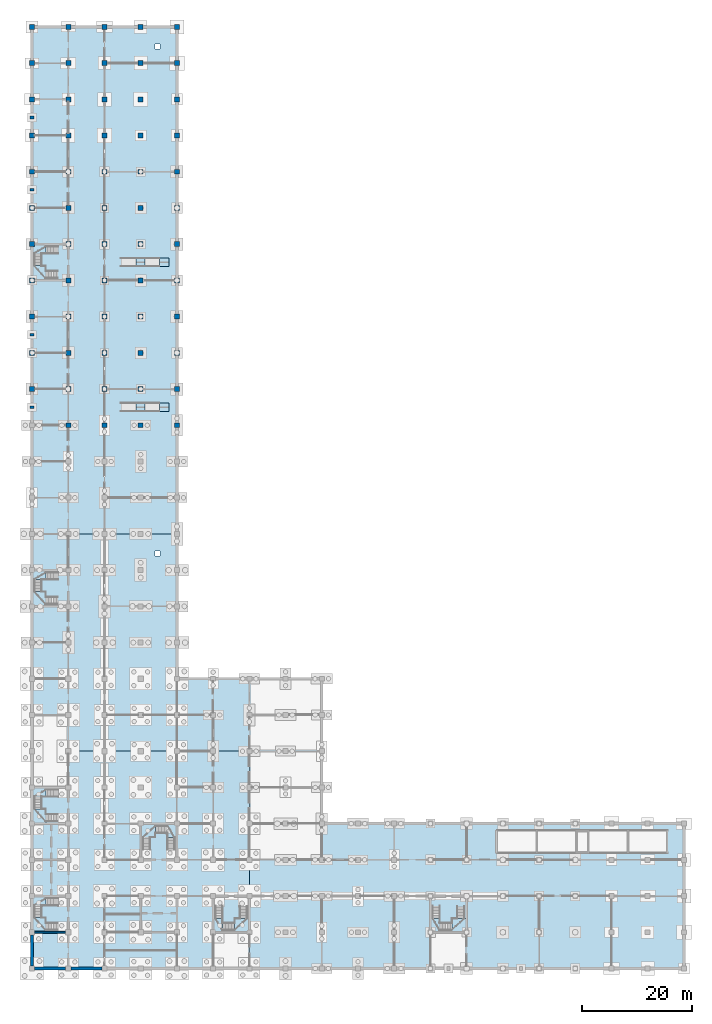
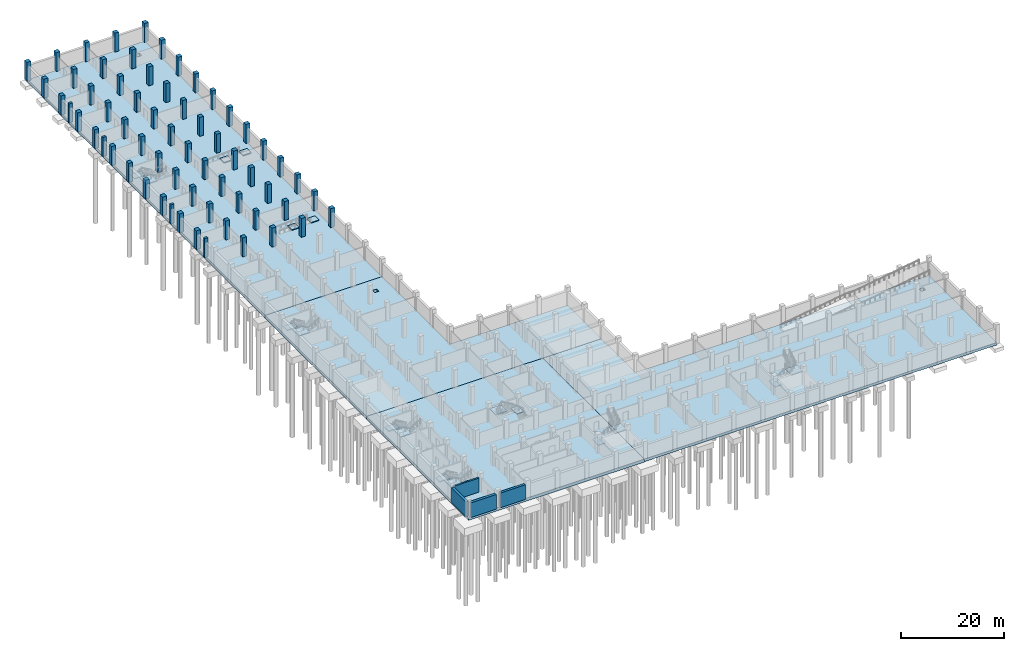
# One storey, part 6 of 18: 63 columns, 22 slabs, 4 walls, 9 elements without a shape of their own.
"""IFC4 building model written with IfcOpenShell, lengths in metres."""

from ifc_helpers import new_model, si_unit, direction, frame, frame_2d, origin, origin_2d, place, context, subcontext, project, spatial, polyline, rectangle, outline, extrude, material, layer, layer_set, material_profile, profile_set, type_object, element, aggregate, save


model = new_model("IFC4")

# Units and contexts
model_context = context("Model", 3, precision=1e-05, world=origin(), true_north=direction((0.0, 1.0)))
body_context = subcontext(model_context, "Body", "Model", "MODEL_VIEW")
ifc_project = project(units=[si_unit("LENGTHUNIT", "METRE"), si_unit("AREAUNIT", "SQUARE_METRE"), si_unit("VOLUMEUNIT", "CUBIC_METRE"), si_unit("PLANEANGLEUNIT", "RADIAN"), si_unit("MASSUNIT", "GRAM", prefix="KILO")], contexts=[model_context])

# Site, building, storey
site_placement = place(None, origin())
site = spatial("IfcSite", under=ifc_project, at=site_placement, CompositionType="ELEMENT")
building_placement = place(site_placement, origin())
building = spatial("IfcBuilding", under=site, at=building_placement, Name="Rusizi Kubbe Research Institute", CompositionType="ELEMENT")
storey_placement = place(building_placement, frame((0.0, 0.0, -4.5)))
storey = spatial("IfcBuildingStorey", under=building, at=storey_placement, Name="B01", CompositionType="ELEMENT", Elevation=-4.5)

# Columns
ifc_material_1 = material(Name="Concrete C45/55", Category="concrete")
ifc_material_profile_1 = material_profile(ifc_material_1, rectangle(XDim=0.89990234375, YDim=0.89990234375, at=origin_2d()), Name="RC900x900")
ifc_profile_set_1 = profile_set([ifc_material_profile_1], Name="Concrete C45/55")
column_type_1 = type_object("IfcColumnType", Name="COL-900", PredefinedType="COLUMN", material=ifc_profile_set_1)
for number, where, z_axis, x_axis, name in (
    (1, (0.0, 105.60009765625, 0.0), (0.0, 0.0, 1.0), (1.0, 0.0, 0.0), "Column 1S B01"),
    (2, (0.0, 112.199951171875, 0.0), (0.0, 0.0, 1.0), (1.0, 0.0, 0.0), "Column 1T B01"),
    (3, (0.0, 118.800048828125, 0.0), (0.0, 0.0, 1.0), (1.0, 0.0, 0.0), "Column 1U B01"),
    (4, (0.0, 125.39990234375, 0.0), (0.0, 0.0, 1.0), (1.0, 0.0, 0.0), "Column 1V B01"),
    (5, (0.0, 132.0, 0.0), (0.0, 0.0, 1.0), (1.0, 0.0, 0.0), "Column 1W B01"),
    (6, (0.0, 138.60009765625, 0.0), (0.0, 0.0, 1.0), (1.0, 0.0, 0.0), "Column 1X B01"),
    (7, (0.0, 145.199951171875, 0.0), (0.0, 0.0, 1.0), (1.0, 0.0, 0.0), "Column 1Y B01"),
    (8, (0.0, 151.800048828125, 0.0), (0.0, 0.0, 1.0), (1.0, 0.0, 0.0), "Column 1Z B01"),
    (9, (0.0, 158.39990234375, 0.0), (0.0, 0.0, 1.0), (1.0, 0.0, 0.0), "Column 1AA B01"),
    (10, (0.0, 165.0, 0.0), (0.0, 0.0, 1.0), (1.0, 0.0, 0.0), "Column 1AB B01"),
    (11, (0.0, 171.60009765625, 0.0), (0.0, 0.0, 1.0), (1.0, 0.0, 0.0), "Column 1AC B01"),
    (12, (6.60009765625, 99.0, 0.0), (0.0, 0.0, 1.0), (1.0, 0.0, 0.0), "Column 2R B01"),
    (13, (6.60009765625, 105.60009765625, 0.0), (0.0, 0.0, 1.0), (1.0, 0.0, 0.0), "Column 2S B01"),
    (14, (6.60009765625, 112.199951171875, 0.0), (0.0, 0.0, 1.0), (1.0, 0.0, 0.0), "Column 2T B01"),
    (15, (6.60009765625, 118.800048828125, 0.0), (0.0, 0.0, 1.0), (1.0, 0.0, 0.0), "Column 2U B01"),
    (16, (6.60009765625, 125.39990234375, 0.0), (0.0, 0.0, 1.0), (1.0, 0.0, 0.0), "Column 2V B01"),
    (17, (6.60009765625, 132.0, 0.0), (0.0, 0.0, 1.0), (1.0, 0.0, 0.0), "Column 2W B01"),
    (18, (6.60009765625, 138.60009765625, 0.0), (0.0, 0.0, 1.0), (1.0, 0.0, 0.0), "Column 2X B01"),
    (19, (6.60009765625, 145.199951171875, 0.0), (0.0, 0.0, 1.0), (1.0, 0.0, 0.0), "Column 2Y B01"),
    (20, (6.60009765625, 151.800048828125, 0.0), (0.0, 0.0, 1.0), (1.0, 0.0, 0.0), "Column 2Z B01"),
    (21, (6.60009765625, 158.39990234375, 0.0), (0.0, 0.0, 1.0), (1.0, 0.0, 0.0), "Column 2AA B01"),
    (22, (6.60009765625, 165.0, 0.0), (0.0, 0.0, 1.0), (1.0, 0.0, 0.0), "Column 2AB B01"),
    (23, (6.60009765625, 171.60009765625, 0.0), (0.0, 0.0, 1.0), (1.0, 0.0, 0.0), "Column 2AC B01"),
    (24, (13.199951171875, 99.0, 0.0), (0.0, 0.0, 1.0), (1.0, 0.0, 0.0), "Column 3R B01"),
    (25, (13.199951171875, 105.60009765625, 0.0), (0.0, 0.0, 1.0), (1.0, 0.0, 0.0), "Column 3S B01"),
    (26, (13.199951171875, 112.199951171875, 0.0), (0.0, 0.0, 1.0), (1.0, 0.0, 0.0), "Column 3T B01"),
    (27, (13.199951171875, 118.800048828125, 0.0), (0.0, 0.0, 1.0), (1.0, 0.0, 0.0), "Column 3U B01"),
    (28, (13.199951171875, 125.39990234375, 0.0), (0.0, 0.0, 1.0), (1.0, 0.0, 0.0), "Column 3V B01"),
    (29, (13.199951171875, 132.0, 0.0), (0.0, 0.0, 1.0), (1.0, 0.0, 0.0), "Column 3W B01"),
    (30, (13.199951171875, 138.60009765625, 0.0), (0.0, 0.0, 1.0), (1.0, 0.0, 0.0), "Column 3X B01"),
    (31, (13.199951171875, 145.199951171875, 0.0), (0.0, 0.0, 1.0), (1.0, 0.0, 0.0), "Column 3Y B01"),
    (32, (13.199951171875, 151.800048828125, 0.0), (0.0, 0.0, 1.0), (1.0, 0.0, 0.0), "Column 3Z B01"),
    (33, (13.199951171875, 158.39990234375, 0.0), (0.0, 0.0, 1.0), (1.0, 0.0, 0.0), "Column 3AA B01"),
    (34, (13.199951171875, 165.0, 0.0), (0.0, 0.0, 1.0), (1.0, 0.0, 0.0), "Column 3AB B01"),
    (35, (13.199951171875, 171.60009765625, 0.0), (0.0, 0.0, 1.0), (1.0, 0.0, 0.0), "Column 3AC B01"),
    (36, (19.800048828125, 99.0, 0.0), (0.0, 0.0, 1.0), (1.0, 0.0, 0.0), "Column 4R B01"),
    (37, (19.800048828125, 105.60009765625, 0.0), (0.0, 0.0, 1.0), (1.0, 0.0, 0.0), "Column 4S B01"),
    (38, (19.800048828125, 112.199951171875, 0.0), (0.0, 0.0, 1.0), (1.0, 0.0, 0.0), "Column 4T B01"),
    (39, (19.800048828125, 118.800048828125, 0.0), (0.0, 0.0, 1.0), (1.0, 0.0, 0.0), "Column 4U B01"),
    (40, (19.800048828125, 125.39990234375, 0.0), (0.0, 0.0, 1.0), (1.0, 0.0, 0.0), "Column 4V B01"),
    (41, (19.800048828125, 132.0, 0.0), (0.0, 0.0, 1.0), (1.0, 0.0, 0.0), "Column 4W B01"),
    (42, (19.800048828125, 138.60009765625, 0.0), (0.0, 0.0, 1.0), (1.0, 0.0, 0.0), "Column 4X B01"),
    (43, (19.800048828125, 145.199951171875, 0.0), (0.0, 0.0, 1.0), (1.0, 0.0, 0.0), "Column 4Y B01"),
    (44, (19.800048828125, 151.800048828125, 0.0), (0.0, 0.0, 1.0), (1.0, 0.0, 0.0), "Column 4Z B01"),
    (45, (19.800048828125, 158.39990234375, 0.0), (0.0, 0.0, 1.0), (1.0, 0.0, 0.0), "Column 4AA B01"),
    (46, (19.800048828125, 165.0, 0.0), (0.0, 0.0, 1.0), (1.0, 0.0, 0.0), "Column 4AB B01"),
    (47, (19.800048828125, 171.60009765625, 0.0), (0.0, 0.0, 1.0), (1.0, 0.0, 0.0), "Column 4AC B01"),
    (48, (26.39990234375, 99.0, 0.0), (0.0, 0.0, 1.0), (1.0, 0.0, 0.0), "Column 5R B01"),
    (49, (26.39990234375, 105.60009765625, 0.0), (0.0, 0.0, 1.0), (1.0, 0.0, 0.0), "Column 5S B01"),
    (50, (26.39990234375, 112.199951171875, 0.0), (0.0, 0.0, 1.0), (1.0, 0.0, 0.0), "Column 5T B01"),
    (51, (26.39990234375, 118.800048828125, 0.0), (0.0, 0.0, 1.0), (1.0, 0.0, 0.0), "Column 5U B01"),
    (52, (26.39990234375, 125.39990234375, 0.0), (0.0, 0.0, 1.0), (1.0, 0.0, 0.0), "Column 5V B01"),
    (53, (26.39990234375, 132.0, 0.0), (0.0, 0.0, 1.0), (1.0, 0.0, 0.0), "Column 5W B01"),
    (54, (26.39990234375, 138.60009765625, 0.0), (0.0, 0.0, 1.0), (1.0, 0.0, 0.0), "Column 5X B01"),
    (55, (26.39990234375, 145.199951171875, 0.0), (0.0, 0.0, 1.0), (1.0, 0.0, 0.0), "Column 5Y B01"),
    (56, (26.39990234375, 151.800048828125, 0.0), (0.0, 0.0, 1.0), (1.0, 0.0, 0.0), "Column 5Z B01"),
    (57, (26.39990234375, 158.39990234375, 0.0), (0.0, 0.0, 1.0), (1.0, 0.0, 0.0), "Column 5AA B01"),
    (58, (26.39990234375, 165.0, 0.0), (0.0, 0.0, 1.0), (1.0, 0.0, 0.0), "Column 5AB B01"),
    (59, (26.39990234375, 171.60009765625, 0.0), (0.0, 0.0, 1.0), (1.0, 0.0, 0.0), "Column 5AC B01"),
):
    element("IfcColumn", number, at=place(storey_placement, frame(where, z_axis=z_axis, x_axis=x_axis)), inside=storey, type_object=column_type_1, Name=name, PredefinedType="COLUMN", context=body_context, shape_type="SweptSolid", body=[
        extrude(rectangle(XDim=0.89990234375, YDim=0.89990234375, at=origin_2d()), origin(), (0.0, 0.0, 1.0), 4.5),
    ])
ifc_material_2 = material(Name="Concrete C45/55", Category="concrete")
ifc_material_profile_2 = material_profile(ifc_material_2, rectangle(XDim=0.5, YDim=0.75, at=origin_2d()), Name="RC500x750")
ifc_profile_set_2 = profile_set([ifc_material_profile_2], Name="Concrete C45/55")
column_type_2 = type_object("IfcColumnType", Name="PIL-500x750", PredefinedType="PILASTER", material=ifc_profile_set_2)
for number, where, z_axis, x_axis, name in (
    (60, (0.0, 102.300048828125, 0.0), (0.0, 0.0, 1.0), (0.0, 1.0, 0.0), "Portal Pilaster W15 B01"),
    (61, (0.0, 115.5, 0.0), (0.0, 0.0, 1.0), (0.0, 1.0, 0.0), "Portal Pilaster W17 B01"),
    (62, (0.0, 141.89990234375, 0.0), (0.0, 0.0, 1.0), (0.0, 1.0, 0.0), "Portal Pilaster W21 B01"),
    (63, (0.0, 155.10009765625, 0.0), (0.0, 0.0, 1.0), (0.0, 1.0, 0.0), "Portal Pilaster W23 B01"),
):
    element("IfcColumn", number, at=place(storey_placement, frame(where, z_axis=z_axis, x_axis=x_axis)), inside=storey, type_object=column_type_2, Name=name, PredefinedType="PILASTER", context=body_context, shape_type="SweptSolid", body=[
        extrude(rectangle(XDim=0.5, YDim=0.75, at=origin_2d()), origin(), (0.0, 0.0, 1.0), 4.5),
    ])

# Slabs
ifc_material_3 = material(Name="Concrete C40/50", Category="concrete")
ifc_layer_1 = layer(ifc_material_3, 0.6201171875)
ifc_layer_set_1 = layer_set([ifc_layer_1], Name="Concrete C40/50")
slab_type_1 = type_object("IfcSlabType", Name="SL-B620", PredefinedType="BASESLAB", material=ifc_layer_set_1)
slab_1_placement = place(storey_placement, frame((0.0, 0.0, -0.6201171875)))
element("IfcSlab", 64, at=slab_1_placement, inside=storey, type_object=slab_type_1, Name="Structural Slab B01 EAST", PredefinedType="BASESLAB", context=body_context, shape_type="SweptSolid", body=[
    extrude(outline(polyline([(39.60009765625, 33.0), (39.60009765625, 39.60009765625), (46.199951171875, 39.60009765625), (52.800048828125, 39.60009765625), (52.800048828125, 33.0), (52.800048828125, 26.39990234375), (59.39990234375, 26.39990234375), (66.0, 26.39990234375), (72.60009765625, 26.39990234375), (79.199951171875, 26.39990234375), (85.800048828125, 26.39990234375), (92.39990234375, 26.39990234375), (99.0, 26.39990234375), (105.60009765625, 26.39990234375), (112.199951171875, 26.39990234375), (118.800048828125, 26.39990234375), (118.800048828125, 19.800048828125), (118.800048828125, 13.199951171875), (118.800048828125, 6.60009765625), (118.800048828125, 0.0), (112.199951171875, 0.0), (105.60009765625, 0.0), (99.0, 0.0), (92.39990234375, 0.0), (85.800048828125, 0.0), (79.199951171875, 0.0), (72.60009765625, 0.0), (66.0, 0.0), (59.39990234375, 0.0), (52.800048828125, 0.0), (46.199951171875, 0.0), (39.60009765625, 0.0), (39.60009765625, 6.60009765625), (39.60009765625, 13.199951171875), (39.60009765625, 19.800048828125), (39.60009765625, 26.39990234375), (39.60009765625, 33.0)]), holes=[polyline([(115.75, 23.25), (114.800048828125, 23.25), (114.800048828125, 22.39990234375), (115.75, 22.39990234375), (115.75, 23.25)])]), origin(), (0.0, 0.0, 1.0), 0.6201171875),
])
ifc_material_4 = material(Name="Concrete C40/50", Category="concrete")
ifc_layer_2 = layer(ifc_material_4, 0.699951171875)
ifc_layer_set_2 = layer_set([ifc_layer_2], Name="Concrete C40/50")
slab_type_2 = type_object("IfcSlabType", Name="SL-B700", PredefinedType="BASESLAB", material=ifc_layer_set_2)
slab_2_placement = place(storey_placement, frame((0.0, 0.0, -0.699951171875)))
element("IfcSlab", 65, at=slab_2_placement, inside=storey, type_object=slab_type_2, Name="Structural Slab B01 CORE", PredefinedType="BASESLAB", context=body_context, shape_type="SweptSolid", body=[
    extrude(outline(polyline([(13.199951171875, 0.0), (6.60009765625, 0.0), (0.0, 0.0), (0.0, 6.60009765625), (0.0, 13.199951171875), (0.0, 19.800048828125), (0.0, 26.39990234375), (0.0, 33.0), (0.0, 39.60009765625), (6.60009765625, 39.60009765625), (13.199951171875, 39.60009765625), (19.800048828125, 39.60009765625), (26.39990234375, 39.60009765625), (33.0, 39.60009765625), (39.60009765625, 39.60009765625), (39.60009765625, 33.0), (39.60009765625, 26.39990234375), (39.60009765625, 19.800048828125), (39.60009765625, 13.199951171875), (39.60009765625, 6.60009765625), (39.60009765625, 0.0), (33.0, 0.0), (26.39990234375, 0.0), (19.800048828125, 0.0), (13.199951171875, 0.0)])), origin(), (0.0, 0.0, 1.0), 0.699951171875),
])
slab_3_placement = place(storey_placement, frame((0.0, 0.0, -0.699951171875)))
element("IfcSlab", 66, at=slab_3_placement, inside=storey, type_object=slab_type_2, Name="Structural Slab B01 NORTHA", PredefinedType="BASESLAB", context=body_context, shape_type="SweptSolid", body=[
    extrude(outline(polyline([(0.0, 72.60009765625), (0.0, 79.199951171875), (6.60009765625, 79.199951171875), (13.199951171875, 79.199951171875), (19.800048828125, 79.199951171875), (26.39990234375, 79.199951171875), (26.39990234375, 72.60009765625), (26.39990234375, 66.0), (26.39990234375, 59.39990234375), (26.39990234375, 52.800048828125), (33.0, 52.800048828125), (39.60009765625, 52.800048828125), (46.199951171875, 52.800048828125), (52.800048828125, 52.800048828125), (52.800048828125, 46.199951171875), (52.800048828125, 39.60009765625), (46.199951171875, 39.60009765625), (39.60009765625, 39.60009765625), (33.0, 39.60009765625), (26.39990234375, 39.60009765625), (19.800048828125, 39.60009765625), (13.199951171875, 39.60009765625), (6.60009765625, 39.60009765625), (0.0, 39.60009765625), (0.0, 46.199951171875), (0.0, 52.800048828125), (0.0, 59.39990234375), (0.0, 66.0), (0.0, 72.60009765625)]), holes=[polyline([(23.35009765625, 76.050048828125), (22.39990234375, 76.050048828125), (22.39990234375, 75.199951171875), (23.35009765625, 75.199951171875), (23.35009765625, 76.050048828125)])]), origin(), (0.0, 0.0, 1.0), 0.699951171875),
])
slab_4_placement = place(storey_placement, frame((0.0, 0.0, -0.699951171875)))
element("IfcSlab", 67, at=slab_4_placement, inside=storey, type_object=slab_type_2, Name="Structural Slab B01 NORTHB", PredefinedType="BASESLAB", context=body_context, shape_type="SweptSolid", body=[
    extrude(outline(polyline([(0.0, 105.60009765625), (0.0, 112.199951171875), (0.0, 118.800048828125), (0.0, 125.39990234375), (0.0, 132.0), (0.0, 138.60009765625), (0.0, 145.199951171875), (0.0, 151.800048828125), (0.0, 158.39990234375), (0.0, 165.0), (0.0, 171.60009765625), (6.60009765625, 171.60009765625), (13.199951171875, 171.60009765625), (19.800048828125, 171.60009765625), (26.39990234375, 171.60009765625), (26.39990234375, 165.0), (26.39990234375, 158.39990234375), (26.39990234375, 151.800048828125), (26.39990234375, 145.199951171875), (26.39990234375, 138.60009765625), (26.39990234375, 132.0), (26.39990234375, 125.39990234375), (26.39990234375, 118.800048828125), (26.39990234375, 112.199951171875), (26.39990234375, 105.60009765625), (26.39990234375, 99.0), (26.39990234375, 92.39990234375), (26.39990234375, 85.800048828125), (26.39990234375, 79.199951171875), (19.800048828125, 79.199951171875), (13.199951171875, 79.199951171875), (6.60009765625, 79.199951171875), (0.0, 79.199951171875), (0.0, 85.800048828125), (0.0, 92.39990234375), (0.0, 99.0), (0.0, 105.60009765625)]), holes=[polyline([(23.35009765625, 168.449951171875), (22.39990234375, 168.449951171875), (22.39990234375, 167.60009765625), (23.35009765625, 167.60009765625), (23.35009765625, 168.449951171875)])]), origin(), (0.0, 0.0, 1.0), 0.699951171875),
])

# Ramp, slabs
ifc_material_5 = material(Name="Concrete C40/50", Category="concrete")
ramp_type = type_object("IfcRampType", Name="RP-PED", PredefinedType="TWO_STRAIGHT_RUN_RAMP", material=ifc_material_5)
ramp_1_placement = place(storey_placement, origin())
ramp_1 = element("IfcRamp", 68, at=ramp_1_placement, inside=storey, type_object=ramp_type, Name="Accessible Ramp RAMP-B01-01", PredefinedType="TWO_STRAIGHT_RUN_RAMP")
ifc_material_6 = material(Name="Concrete C40/50", Category="concrete")
ifc_layer_3 = layer(ifc_material_6, 0.18505859375)
ifc_layer_set_3 = layer_set([ifc_layer_3], Name="Concrete C40/50")
slab_type_3 = type_object("IfcSlabType", Name="SL-IRLAND", PredefinedType="LANDING", material=ifc_layer_set_3)
slab_5_placement = place(storey_placement, frame((0.0, 0.0, 0.02490234375)))
slab_5 = element("IfcSlab", 69, at=slab_5_placement, type_object=slab_type_3, Name="RP-01 landing 1", PredefinedType="LANDING", context=body_context, shape_type="SweptSolid", body=[
    extrude(outline(polyline([(18.89990234375, 101.5), (20.580078125, 101.5), (20.580078125, 103.10009765625), (18.89990234375, 103.10009765625), (18.89990234375, 101.5)])), origin(), (0.0, 0.0, 1.0), 0.18505859375),
])
slab_6_placement = place(storey_placement, frame((0.0, 0.0, 0.235107421875)))
slab_6 = element("IfcSlab", 70, at=slab_6_placement, type_object=slab_type_3, Name="RP-01 landing 2", PredefinedType="LANDING", context=body_context, shape_type="SweptSolid", body=[
    extrude(outline(polyline([(23.199951171875, 101.5), (25.0, 101.5), (25.0, 103.10009765625), (23.199951171875, 103.10009765625), (23.199951171875, 101.5)])), origin(), (0.0, 0.0, 1.0), 0.184814453125),
])
aggregate(ramp_1, [slab_5, slab_6])

ramp_2_placement = place(storey_placement, origin())
ramp_2 = element("IfcRamp", 71, at=ramp_2_placement, inside=storey, type_object=ramp_type, Name="Accessible Ramp RAMP-B01-02", PredefinedType="TWO_STRAIGHT_RUN_RAMP")
slab_7_placement = place(storey_placement, frame((0.0, 0.0, 0.02490234375)))
slab_7 = element("IfcSlab", 72, at=slab_7_placement, type_object=slab_type_3, Name="RP-01 landing 1", PredefinedType="LANDING", context=body_context, shape_type="SweptSolid", body=[
    extrude(outline(polyline([(18.89990234375, 127.89990234375), (20.580078125, 127.89990234375), (20.580078125, 129.5), (18.89990234375, 129.5), (18.89990234375, 127.89990234375)])), origin(), (0.0, 0.0, 1.0), 0.18505859375),
])
slab_8_placement = place(storey_placement, frame((0.0, 0.0, 0.235107421875)))
slab_8 = element("IfcSlab", 73, at=slab_8_placement, type_object=slab_type_3, Name="RP-01 landing 2", PredefinedType="LANDING", context=body_context, shape_type="SweptSolid", body=[
    extrude(outline(polyline([(23.199951171875, 127.89990234375), (25.0, 127.89990234375), (25.0, 129.5), (23.199951171875, 129.5), (23.199951171875, 127.89990234375)])), origin(), (0.0, 0.0, 1.0), 0.184814453125),
])
aggregate(ramp_2, [slab_7, slab_8])

# Stair, slabs
ifc_material_7 = material(Name="Concrete C40/50", Category="concrete")
stair_type = type_object("IfcStairType", Name="ST-H450", PredefinedType="THREE_QUARTER_TURN_STAIR", material=ifc_material_7)
stair_1_placement = place(storey_placement, origin())
stair_1 = element("IfcStair", 74, at=stair_1_placement, inside=storey, type_object=stair_type, Name="Protected Exit Stair ST1 (B01)", PredefinedType="THREE_QUARTER_TURN_STAIR")
ifc_material_8 = material(Name="Concrete C40/50", Category="concrete")
ifc_layer_4 = layer(ifc_material_8, 0.195068359375)
ifc_layer_set_4 = layer_set([ifc_layer_4], Name="Concrete C40/50")
slab_type_4 = type_object("IfcSlabType", Name="SL-L195", PredefinedType="LANDING", material=ifc_layer_set_4)
slab_9_placement = place(storey_placement, frame((0.0, 0.0, 1.304931640625)))
slab_9 = element("IfcSlab", 75, at=slab_9_placement, type_object=slab_type_4, Name="ST1 landing 1", PredefinedType="LANDING", context=body_context, shape_type="SweptSolid", body=[
    extrude(outline(polyline([(2.5458984375, 13.06005859375), (0.139892578125, 13.06005859375), (0.139892578125, 11.449951171875), (2.5458984375, 11.449951171875), (2.5458984375, 13.06005859375)])), origin(), (0.0, 0.0, 1.0), 0.195068359375),
])
slab_10_placement = place(storey_placement, frame((0.0, 0.0, 2.804931640625)))
slab_10 = element("IfcSlab", 76, at=slab_10_placement, type_object=slab_type_4, Name="ST1 landing 2", PredefinedType="LANDING", context=body_context, shape_type="SweptSolid", body=[
    extrude(outline(polyline([(2.5458984375, 9.2958984375), (0.139892578125, 9.2958984375), (0.139892578125, 6.739990234375), (2.5458984375, 6.739990234375), (2.5458984375, 9.2958984375)])), origin(), (0.0, 0.0, 1.0), 0.195068359375),
])
aggregate(stair_1, [slab_9, slab_10])

stair_2_placement = place(storey_placement, origin())
stair_2 = element("IfcStair", 77, at=stair_2_placement, inside=storey, type_object=stair_type, Name="Protected Exit Stair ST2 (B01)", PredefinedType="THREE_QUARTER_TURN_STAIR")
slab_11_placement = place(storey_placement, frame((0.0, 0.0, 1.304931640625)))
slab_11 = element("IfcSlab", 78, at=slab_11_placement, type_object=slab_type_4, Name="ST2 landing 1", PredefinedType="LANDING", context=body_context, shape_type="SweptSolid", body=[
    extrude(outline(polyline([(2.5458984375, 32.860107421875), (0.139892578125, 32.860107421875), (0.139892578125, 31.25), (2.5458984375, 31.25), (2.5458984375, 32.860107421875)])), origin(), (0.0, 0.0, 1.0), 0.195068359375),
])
slab_12_placement = place(storey_placement, frame((0.0, 0.0, 2.804931640625)))
slab_12 = element("IfcSlab", 79, at=slab_12_placement, type_object=slab_type_4, Name="ST2 landing 2", PredefinedType="LANDING", context=body_context, shape_type="SweptSolid", body=[
    extrude(outline(polyline([(2.5458984375, 29.095947265625), (0.139892578125, 29.095947265625), (0.139892578125, 26.5400390625), (2.5458984375, 26.5400390625), (2.5458984375, 29.095947265625)])), origin(), (0.0, 0.0, 1.0), 0.195068359375),
])
aggregate(stair_2, [slab_11, slab_12])

stair_3_placement = place(storey_placement, origin())
stair_3 = element("IfcStair", 80, at=stair_3_placement, inside=storey, type_object=stair_type, Name="Protected Exit Stair ST3 (B01)", PredefinedType="THREE_QUARTER_TURN_STAIR")
slab_13_placement = place(storey_placement, frame((0.0, 0.0, 1.304931640625)))
slab_13 = element("IfcSlab", 81, at=slab_13_placement, type_object=slab_type_4, Name="ST3 landing 1", PredefinedType="LANDING", context=body_context, shape_type="SweptSolid", body=[
    extrude(outline(polyline([(26.260009765625, 23.85400390625), (26.260009765625, 26.260009765625), (24.64990234375, 26.260009765625), (24.64990234375, 23.85400390625), (26.260009765625, 23.85400390625)])), origin(), (0.0, 0.0, 1.0), 0.195068359375),
])
slab_14_placement = place(storey_placement, frame((0.0, 0.0, 2.804931640625)))
slab_14 = element("IfcSlab", 82, at=slab_14_placement, type_object=slab_type_4, Name="ST3 landing 2", PredefinedType="LANDING", context=body_context, shape_type="SweptSolid", body=[
    extrude(outline(polyline([(22.49609375, 23.85400390625), (22.49609375, 26.260009765625), (19.93994140625, 26.260009765625), (19.93994140625, 23.85400390625), (22.49609375, 23.85400390625)])), origin(), (0.0, 0.0, 1.0), 0.195068359375),
])
aggregate(stair_3, [slab_13, slab_14])

stair_4_placement = place(storey_placement, origin())
stair_4 = element("IfcStair", 83, at=stair_4_placement, inside=storey, type_object=stair_type, Name="Protected Exit Stair ST4 (B01)", PredefinedType="THREE_QUARTER_TURN_STAIR")
slab_15_placement = place(storey_placement, frame((0.0, 0.0, 1.304931640625)))
slab_15 = element("IfcSlab", 84, at=slab_15_placement, type_object=slab_type_4, Name="ST4 landing 1", PredefinedType="LANDING", context=body_context, shape_type="SweptSolid", body=[
    extrude(outline(polyline([(33.139892578125, 9.14599609375), (33.139892578125, 6.739990234375), (34.75, 6.739990234375), (34.75, 9.14599609375), (33.139892578125, 9.14599609375)])), origin(), (0.0, 0.0, 1.0), 0.195068359375),
])
slab_16_placement = place(storey_placement, frame((0.0, 0.0, 2.804931640625)))
slab_16 = element("IfcSlab", 85, at=slab_16_placement, type_object=slab_type_4, Name="ST4 landing 2", PredefinedType="LANDING", context=body_context, shape_type="SweptSolid", body=[
    extrude(outline(polyline([(36.904052734375, 9.14599609375), (36.904052734375, 6.739990234375), (39.4599609375, 6.739990234375), (39.4599609375, 9.14599609375), (36.904052734375, 9.14599609375)])), origin(), (0.0, 0.0, 1.0), 0.195068359375),
])
aggregate(stair_4, [slab_15, slab_16])

stair_5_placement = place(storey_placement, origin())
stair_5 = element("IfcStair", 86, at=stair_5_placement, inside=storey, type_object=stair_type, Name="Protected Exit Stair ST5 (B01)", PredefinedType="THREE_QUARTER_TURN_STAIR")
slab_17_placement = place(storey_placement, frame((0.0, 0.0, 1.304931640625)))
slab_17 = element("IfcSlab", 87, at=slab_17_placement, type_object=slab_type_4, Name="ST5 landing 1", PredefinedType="LANDING", context=body_context, shape_type="SweptSolid", body=[
    extrude(outline(polyline([(2.5458984375, 72.4599609375), (0.139892578125, 72.4599609375), (0.139892578125, 70.85009765625), (2.5458984375, 70.85009765625), (2.5458984375, 72.4599609375)])), origin(), (0.0, 0.0, 1.0), 0.195068359375),
])
slab_18_placement = place(storey_placement, frame((0.0, 0.0, 2.804931640625)))
slab_18 = element("IfcSlab", 88, at=slab_18_placement, type_object=slab_type_4, Name="ST5 landing 2", PredefinedType="LANDING", context=body_context, shape_type="SweptSolid", body=[
    extrude(outline(polyline([(2.5458984375, 68.696044921875), (0.139892578125, 68.696044921875), (0.139892578125, 66.139892578125), (2.5458984375, 66.139892578125), (2.5458984375, 68.696044921875)])), origin(), (0.0, 0.0, 1.0), 0.195068359375),
])
aggregate(stair_5, [slab_17, slab_18])

stair_6_placement = place(storey_placement, origin())
stair_6 = element("IfcStair", 89, at=stair_6_placement, inside=storey, type_object=stair_type, Name="Protected Exit Stair ST6 (B01)", PredefinedType="THREE_QUARTER_TURN_STAIR")
slab_19_placement = place(storey_placement, frame((0.0, 0.0, 1.304931640625)))
slab_19 = element("IfcSlab", 90, at=slab_19_placement, type_object=slab_type_4, Name="ST6 landing 1", PredefinedType="LANDING", context=body_context, shape_type="SweptSolid", body=[
    extrude(outline(polyline([(2.5458984375, 131.860107421875), (0.139892578125, 131.860107421875), (0.139892578125, 130.25), (2.5458984375, 130.25), (2.5458984375, 131.860107421875)])), origin(), (0.0, 0.0, 1.0), 0.195068359375),
])
slab_20_placement = place(storey_placement, frame((0.0, 0.0, 2.804931640625)))
slab_20 = element("IfcSlab", 91, at=slab_20_placement, type_object=slab_type_4, Name="ST6 landing 2", PredefinedType="LANDING", context=body_context, shape_type="SweptSolid", body=[
    extrude(outline(polyline([(2.5458984375, 128.095947265625), (0.139892578125, 128.095947265625), (0.139892578125, 125.5400390625), (2.5458984375, 125.5400390625), (2.5458984375, 128.095947265625)])), origin(), (0.0, 0.0, 1.0), 0.195068359375),
])
aggregate(stair_6, [slab_19, slab_20])

stair_7_placement = place(storey_placement, origin())
stair_7 = element("IfcStair", 92, at=stair_7_placement, inside=storey, type_object=stair_type, Name="Protected Exit Stair ST7 (B01)", PredefinedType="THREE_QUARTER_TURN_STAIR")
slab_21_placement = place(storey_placement, frame((0.0, 0.0, 1.304931640625)))
slab_21 = element("IfcSlab", 93, at=slab_21_placement, type_object=slab_type_4, Name="ST7 landing 1", PredefinedType="LANDING", context=body_context, shape_type="SweptSolid", body=[
    extrude(outline(polyline([(72.739990234375, 9.14599609375), (72.739990234375, 6.739990234375), (74.35009765625, 6.739990234375), (74.35009765625, 9.14599609375), (72.739990234375, 9.14599609375)])), origin(), (0.0, 0.0, 1.0), 0.195068359375),
])
slab_22_placement = place(storey_placement, frame((0.0, 0.0, 2.804931640625)))
slab_22 = element("IfcSlab", 94, at=slab_22_placement, type_object=slab_type_4, Name="ST7 landing 2", PredefinedType="LANDING", context=body_context, shape_type="SweptSolid", body=[
    extrude(outline(polyline([(76.50390625, 9.14599609375), (76.50390625, 6.739990234375), (79.06005859375, 6.739990234375), (79.06005859375, 9.14599609375), (76.50390625, 9.14599609375)])), origin(), (0.0, 0.0, 1.0), 0.195068359375),
])
aggregate(stair_7, [slab_21, slab_22])

# Walls
ifc_material_9 = material(Name="Concrete C45/55", Category="concrete")
ifc_layer_5 = layer(ifc_material_9, 0.35009765625)
ifc_layer_set_5 = layer_set([ifc_layer_5], Name="Concrete C45/55")
wall_type_1 = type_object("IfcWallType", Name="CRW-01", PredefinedType="SHEAR", material=ifc_layer_set_5)
wall_1_placement = place(storey_placement, frame((0.47509765625, 6.60009765625, 0.0), z_axis=(0.0, 0.0, 1.0), x_axis=(1.0, 0.0, 0.0)))
element("IfcWall", 95, at=wall_1_placement, inside=storey, type_object=wall_type_1, Name="Stair Core Shear Wall ST1 B01 S", PredefinedType="SHEAR", context=body_context, shape_type="SweptSolid", body=[
    extrude(rectangle(XDim=5.64990234375, YDim=0.35009765625, at=frame_2d((2.824951171875, 0.0))), origin(), (0.0, 0.0, 1.0), 3.340087890625),
])
ifc_material_10 = material(Name="Concrete C45/55", Category="concrete")
ifc_layer_6 = layer(ifc_material_10, 0.56005859375)
ifc_layer_set_6 = layer_set([ifc_layer_6], Name="Concrete C45/55")
wall_type_2 = type_object("IfcWallType", Name="RW-01", PredefinedType="USERDEFINED", material=ifc_layer_set_6)
for number, where, z_axis, x_axis, name in (
    (96, (0.47509765625, 0.0, 0.0), (0.0, 0.0, 1.0), (1.0, 0.0, 0.0), "Basement Retaining Wall B01 H0-0"),
    (97, (0.0, 0.47509765625, 0.0), (0.0, 0.0, 1.0), (0.0, 1.0, 0.0), "Basement Retaining Wall B01 V0-0"),
):
    element("IfcWall", number, at=place(storey_placement, frame(where, z_axis=z_axis, x_axis=x_axis)), inside=storey, type_object=wall_type_2, Name=name, ObjectType="RETAINING WALL", PredefinedType="USERDEFINED", context=body_context, shape_type="SweptSolid", body=[
        extrude(rectangle(XDim=5.64990234375, YDim=0.56005859375, at=frame_2d((2.824951171875, 0.0))), origin(), (0.0, 0.0, 1.0), 3.489990234375),
    ])
wall_2_placement = place(storey_placement, frame((7.074951171875, 0.0, 0.0), z_axis=(0.0, 0.0, 1.0), x_axis=(1.0, 0.0, 0.0)))
element("IfcWall", 98, at=wall_2_placement, inside=storey, type_object=wall_type_2, Name="Basement Retaining Wall B01 H1-0", ObjectType="RETAINING WALL", PredefinedType="USERDEFINED", context=body_context, shape_type="SweptSolid", body=[
    extrude(rectangle(XDim=5.650146484375, YDim=0.56005859375, at=frame_2d((2.8251953125, 0.0))), origin(), (0.0, 0.0, 1.0), 3.489990234375),
])

save(model, "model.ifc")
